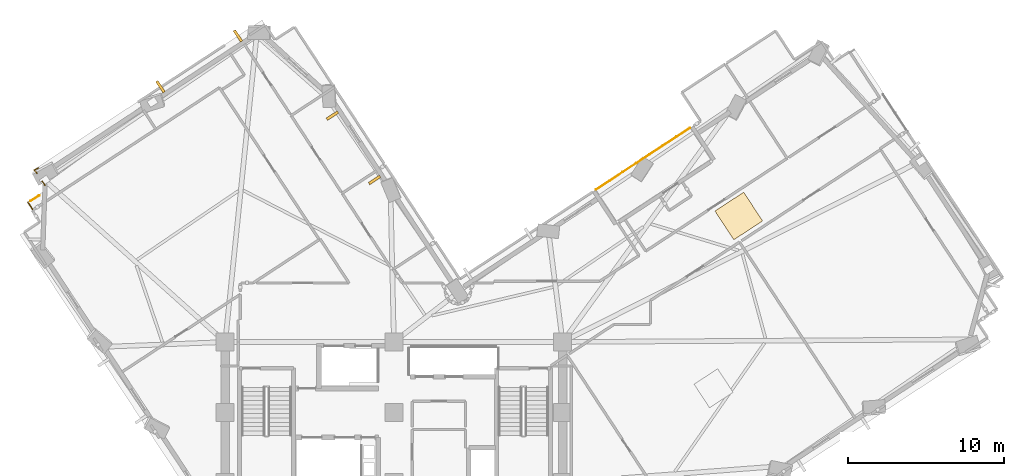
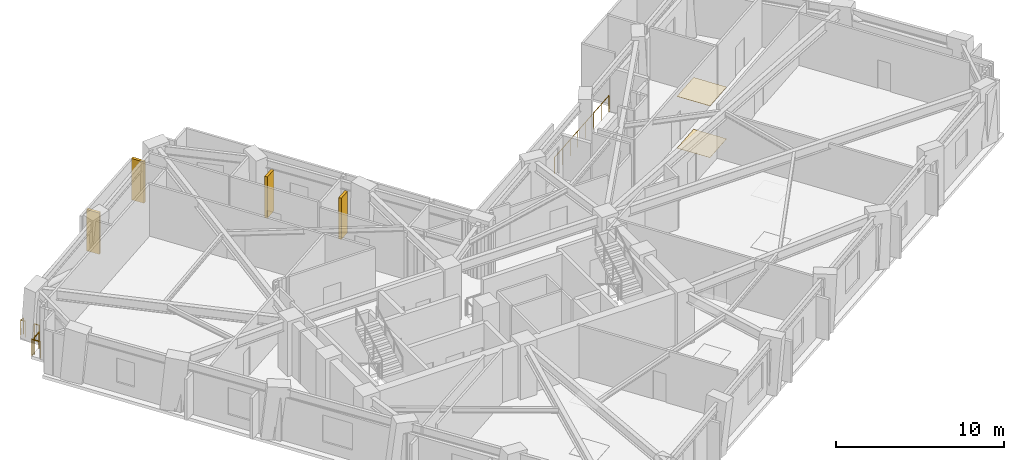
# One storey, part 13 of 14: 5 railings, 4 shading devices, 2 coverings.
"""IFC4 building model written with IfcOpenShell, lengths in metres."""

from ifc_helpers import new_model, si_unit, direction, frame, origin, origin_2d, place, context, subcontext, project, spatial, rectangle, circle, extrude, material, layer, layer_set, type_object, element, save


model = new_model("IFC4")

# Units and contexts
model_context = context("Model", 3, precision=1e-05, world=origin(), true_north=direction((0.0, 1.0)))
body_context = subcontext(model_context, "Body", "Model", "MODEL_VIEW")
ifc_project = project(units=[si_unit("LENGTHUNIT", "METRE"), si_unit("AREAUNIT", "SQUARE_METRE"), si_unit("VOLUMEUNIT", "CUBIC_METRE"), si_unit("PLANEANGLEUNIT", "RADIAN"), si_unit("MASSUNIT", "GRAM", prefix="KILO")], contexts=[model_context])

# Site, building, storey
site_placement = place(None, origin())
site = spatial("IfcSite", under=ifc_project, at=site_placement, CompositionType="ELEMENT")
building_placement = place(site_placement, origin())
building = spatial("IfcBuilding", under=site, at=building_placement, Name="Gaonmaruhae Medical Tower", CompositionType="ELEMENT")
storey_placement = place(building_placement, frame((0.0, 0.0, 165.800048828125)))
storey = spatial("IfcBuildingStorey", under=building, at=storey_placement, Name="L39", CompositionType="ELEMENT", Elevation=165.800048828125)

# Coverings
ifc_material_1 = material(Name="Acoustic mineral ceiling tile", Category="finish")
ifc_layer_1 = layer(ifc_material_1, 0.02490234375)
ifc_layer_set_1 = layer_set([ifc_layer_1], Name="Acoustic mineral ceiling tile")
covering_type_1 = type_object("IfcCoveringType", Name="CLG-01 Antimicrobial Acoustic Mineral Ceiling", PredefinedType="CEILING", material=ifc_layer_set_1)
covering_1_placement = place(storey_placement, frame((46.877685546875, 24.86572265625, 3.7548828125), z_axis=(0.0, 0.0, 1.0), x_axis=(0.836286155848, 0.54829322952, 0.0)))
element("IfcCovering", 1, at=covering_1_placement, inside=storey, type_object=covering_type_1, Name="L39 Clinical Corridor Acoustic Ceiling", PredefinedType="CEILING", context=body_context, shape_type="SweptSolid", body=[
    extrude(rectangle(XDim=2.199951171875, YDim=2.199951171875, at=origin_2d()), origin(), (0.0, 0.0, 1.0), 0.02490234375),
])
ifc_material_2 = material(Name="Seamless clinical vinyl flooring", Category="finish")
ifc_layer_2 = layer(ifc_material_2, 0.014892578125)
ifc_layer_set_2 = layer_set([ifc_layer_2], Name="Seamless clinical vinyl flooring")
covering_type_2 = type_object("IfcCoveringType", Name="FLR-01 Seamless Clinical Antistatic Vinyl Flooring", PredefinedType="FLOORING", material=ifc_layer_set_2)
covering_2_placement = place(storey_placement, frame((46.877685546875, 24.86572265625, 0.00048828125), z_axis=(0.0, 0.0, 1.0), x_axis=(0.836286155848, 0.54829322952, 0.0)))
element("IfcCovering", 2, at=covering_2_placement, inside=storey, type_object=covering_type_2, Name="L39 Clinical Corridor Vinyl Flooring", PredefinedType="FLOORING", context=body_context, shape_type="SweptSolid", body=[
    extrude(rectangle(XDim=2.199951171875, YDim=2.199951171875, at=origin_2d()), origin(), (0.0, 0.0, 1.0), 0.014892578125),
])

# Railings
ifc_material_3 = material(Name="Stainless steel 316L and laminated safety glass", Category="steel")
ifc_layer_3 = layer(ifc_material_3, 0.080078125)
ifc_layer_set_3 = layer_set([ifc_layer_3], Name="Stainless steel 316L and laminated safety glass")
railing_type = type_object("IfcRailingType", Name="GD-120 Outdoor Terrace Safety Glass & Steel Balustrade", PredefinedType="BALUSTRADE", material=ifc_layer_set_3)
railing_1_placement = place(storey_placement, frame((43.75390625, 30.50048828125, 0.0)))
element("IfcRailing", 3, at=railing_1_placement, inside=storey, type_object=railing_type, Name="L39 Terrace Safety Guard RL-SLB-L39-TER-03", PredefinedType="BALUSTRADE", context=body_context, shape_type="SweptSolid", body=[
    extrude(circle(Radius=0.02392578125, at=origin_2d()), frame((0.0, 0.0, 1.17578125), z_axis=(-0.836292794203, -0.548283104211, 0.0), x_axis=(0.548283104211, -0.836292794203, 0.0)), (0.0, 0.0, 1.0), 7.2001953125),
    extrude(circle(Radius=0.02099609375, at=origin_2d()), origin(), (0.0, 0.0, 1.0), 1.15185546875),
    extrude(circle(Radius=0.02099609375, at=origin_2d()), frame((-0.860107421875, -0.56396484375, 0.0)), (0.0, 0.0, 1.0), 1.15185546875),
    extrude(circle(Radius=0.02099609375, at=origin_2d()), frame((-1.720458984375, -1.1279296875, 0.0)), (0.0, 0.0, 1.0), 1.15185546875),
    extrude(circle(Radius=0.02099609375, at=origin_2d()), frame((-2.58056640625, -1.69189453125, 0.0)), (0.0, 0.0, 1.0), 1.15185546875),
    extrude(circle(Radius=0.02099609375, at=origin_2d()), frame((-3.44091796875, -2.255859375, 0.0)), (0.0, 0.0, 1.0), 1.15185546875),
    extrude(circle(Radius=0.02099609375, at=origin_2d()), frame((-4.301025390625, -2.81982421875, 0.0)), (0.0, 0.0, 1.0), 1.15185546875),
    extrude(circle(Radius=0.02099609375, at=origin_2d()), frame((-5.161376953125, -3.3837890625, 0.0)), (0.0, 0.0, 1.0), 1.15185546875),
    extrude(circle(Radius=0.02099609375, at=origin_2d()), frame((-6.021484375, -3.94775390625, 0.0)), (0.0, 0.0, 1.0), 1.15185546875),
])
railing_2_placement = place(storey_placement, frame((1.67138671875, 25.294921875, 0.0)))
element("IfcRailing", 4, at=railing_2_placement, inside=storey, type_object=railing_type, Name="L39 Perimeter Slab Edge Safety Balustrade 05", PredefinedType="BALUSTRADE", context=body_context, shape_type="SweptSolid", body=[
    extrude(circle(Radius=0.02392578125, at=origin_2d()), frame((0.0, 0.0, 1.17578125), z_axis=(-0.548141981546, 0.836385298811, 0.0), x_axis=(-0.836385298811, -0.548141981546, 0.0)), (0.0, 0.0, 1.0), 0.559814453125),
    extrude(circle(Radius=0.02099609375, at=origin_2d()), origin(), (0.0, 0.0, 1.0), 1.15185546875),
    extrude(circle(Radius=0.02099609375, at=origin_2d()), frame((-0.306884765625, 0.46826171875, 0.0)), (0.0, 0.0, 1.0), 1.15185546875),
])
railing_3_placement = place(storey_placement, frame((1.545166015625, 25.822021484375, 0.0)))
element("IfcRailing", 5, at=railing_3_placement, inside=storey, type_object=railing_type, Name="L39 Perimeter Slab Edge Safety Balustrade 06", PredefinedType="BALUSTRADE", context=body_context, shape_type="SweptSolid", body=[
    extrude(circle(Radius=0.02392578125, at=origin_2d()), frame((0.0, 0.0, 1.17578125), z_axis=(0.836350018485, 0.548195810436, 0.0), x_axis=(-0.548195810436, 0.836350018485, 0.0)), (0.0, 0.0, 1.0), 0.659912109375),
    extrude(circle(Radius=0.02099609375, at=origin_2d()), origin(), (0.0, 0.0, 1.0), 1.15185546875),
    extrude(circle(Radius=0.02099609375, at=origin_2d()), frame((0.552001953125, 0.36181640625, 0.0)), (0.0, 0.0, 1.0), 1.15185546875),
])
railing_4_placement = place(storey_placement, frame((2.468994140625, 26.814208984375, 0.0)))
element("IfcRailing", 6, at=railing_4_placement, inside=storey, type_object=railing_type, Name="L39 Perimeter Slab Edge Safety Balustrade 07", PredefinedType="BALUSTRADE", context=body_context, shape_type="SweptSolid", body=[
    extrude(circle(Radius=0.02392578125, at=origin_2d()), frame((0.0, 0.0, 1.17578125), z_axis=(-0.548476886318, 0.836165716335, 0.0), x_axis=(-0.836165716335, -0.548476886318, 0.0)), (0.0, 0.0, 1.0), 0.32666015625),
    extrude(circle(Radius=0.02099609375, at=origin_2d()), origin(), (0.0, 0.0, 1.0), 1.15185546875),
    extrude(circle(Radius=0.02099609375, at=origin_2d()), frame((-0.17919921875, 0.273193359375, 0.0)), (0.0, 0.0, 1.0), 1.15185546875),
])
railing_5_placement = place(storey_placement, frame((1.9609375, 27.589111328125, 0.0)))
element("IfcRailing", 7, at=railing_5_placement, inside=storey, type_object=railing_type, Name="L39 Perimeter Corner Safety Balustrade 09", PredefinedType="BALUSTRADE", context=body_context, shape_type="SweptSolid", body=[
    extrude(circle(Radius=0.02392578125, at=origin_2d()), frame((0.0, 0.0, 1.17578125), z_axis=(-0.64601844732, 0.763321796965, 0.0), x_axis=(-0.763321796965, -0.64601844732, 0.0)), (0.0, 0.0, 1.0), 0.287109375),
    extrude(circle(Radius=0.02392578125, at=origin_2d()), frame((-0.185546875, 0.21923828125, 1.17578125), z_axis=(0.896963250332, 0.442105109169, 0.0), x_axis=(-0.442105109169, 0.896963250332, 0.0)), (0.0, 0.0, 1.0), 0.287109375),
    extrude(circle(Radius=0.02099609375, at=origin_2d()), origin(), (0.0, 0.0, 1.0), 1.15185546875),
    extrude(circle(Radius=0.02099609375, at=origin_2d()), frame((-0.185546875, 0.21923828125, 0.0)), (0.0, 0.0, 1.0), 1.15185546875),
    extrude(circle(Radius=0.02099609375, at=origin_2d()), frame((0.072021484375, 0.34619140625, 0.0)), (0.0, 0.0, 1.0), 1.15185546875),
])

# Shading devices
ifc_material_4 = material(Name="Pigmented coral precast concrete C45/55", Category="concrete")
shading_device_type = type_object("IfcShadingDeviceType", Name="SD-FIN1 Tower Vertical Coral Precast Shading Fin", PredefinedType="USERDEFINED", material=ifc_material_4)
for number, where, z_axis, x_axis, name in (
    (8, (23.560546875, 27.172607421875, 0.08251953125), (0.0, 0.0, 1.0), (-0.54829322952, 0.836286155848, 0.0), "L39 Vertical Coral Precast Shading Fin NE01"),
    (9, (20.861328125, 31.289306640625, 0.08251953125), (0.0, 0.0, 1.0), (-0.54829322952, 0.836286155848, 0.0), "L39 Vertical Coral Precast Shading Fin NE01B"),
    (10, (9.85595703125, 33.14208984375, 0.08251953125), (0.0, 0.0, 1.0), (0.836295725243, 0.548278633489, 0.0), "L39 Vertical Coral Precast Shading Fin N01"),
    (11, (14.81591796875, 36.393798828125, 0.08251953125), (0.0, 0.0, 1.0), (0.836295725243, 0.548278633489, 0.0), "L39 Vertical Coral Precast Shading Fin N01B"),
):
    element("IfcShadingDevice", number, at=place(storey_placement, frame(where, z_axis=z_axis, x_axis=x_axis)), inside=storey, type_object=shading_device_type, Name=name, ObjectType="FIN", PredefinedType="USERDEFINED", context=body_context, shape_type="SweptSolid", body=[
        extrude(rectangle(XDim=0.179931640625, YDim=0.85009765625, at=origin_2d()), origin(), (0.0, 0.0, 1.0), 3.0),
    ])

save(model, "model.ifc")
